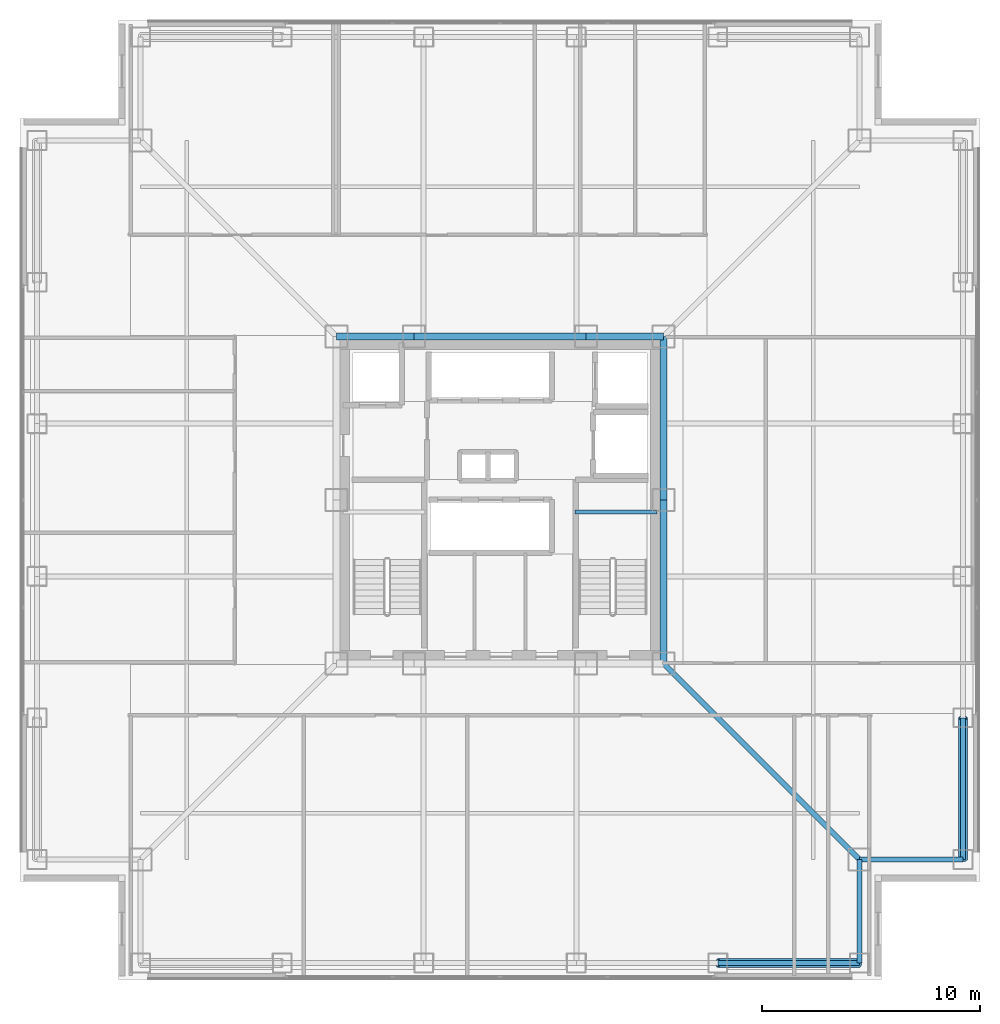
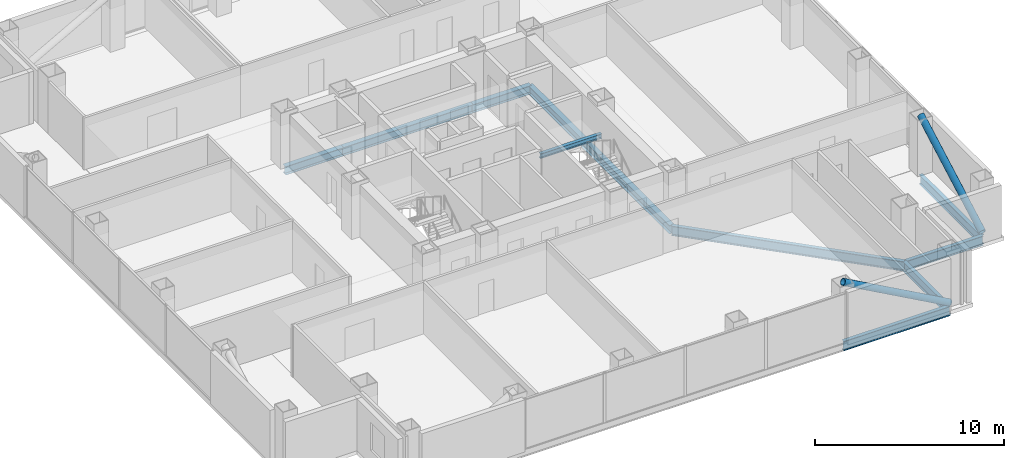
# One storey, part 6 of 16: 11 beams, 2 members.
"""IFC4 building model written with IfcOpenShell, lengths in metres."""

from ifc_helpers import new_model, si_unit, direction, frame, origin, origin_2d, place, context, subcontext, project, spatial, hollow_circle, i_section, extrude, material, material_profile, profile_set, type_object, element, save


model = new_model("IFC4")

# Units and contexts
model_context = context("Model", 3, precision=1e-05, world=origin(), true_north=direction((0.0, 1.0)))
body_context = subcontext(model_context, "Body", "Model", "MODEL_VIEW")
ifc_project = project(units=[si_unit("LENGTHUNIT", "METRE"), si_unit("AREAUNIT", "SQUARE_METRE"), si_unit("VOLUMEUNIT", "CUBIC_METRE"), si_unit("PLANEANGLEUNIT", "RADIAN"), si_unit("MASSUNIT", "GRAM", prefix="KILO")], contexts=[model_context])

# Site, building, storey
site_placement = place(None, origin())
site = spatial("IfcSite", under=ifc_project, at=site_placement, CompositionType="ELEMENT")
building_placement = place(site_placement, origin())
building = spatial("IfcBuilding", under=site, at=building_placement, Name="Trevonay Congress Spire", CompositionType="ELEMENT")
storey_placement = place(building_placement, frame((0.0, 0.0, 101.199951171875)))
storey = spatial("IfcBuildingStorey", under=building, at=storey_placement, Name="L25", CompositionType="ELEMENT", Elevation=101.199951171875)

# Beams
ifc_material_1 = material(Name="Steel ASTM A572 Grade 50", Category="steel")
ifc_material_profile_1 = material_profile(ifc_material_1, i_section(OverallWidth=0.31201171875, OverallDepth=0.54296875, WebThickness=0.0126953125, FlangeThickness=0.020263671875, FilletRadius=0.014892578125, at=origin_2d()), Name="W530x150")
ifc_profile_set_1 = profile_set([ifc_material_profile_1], Name="Steel ASTM A572 Grade 50")
beam_type_1 = type_object("IfcBeamType", Name="BM-GIRD-W530X150", PredefinedType="BEAM", material=ifc_profile_set_1)
beam_1_placement = place(storey_placement, frame((-7.5, 7.5, -0.511474609375), z_axis=(1.0, 0.0, 0.0), x_axis=(0.0, 1.0, 0.0)))
element("IfcBeam", 1, at=beam_1_placement, inside=storey, type_object=beam_type_1, Name="L25 structural beam BM-L25-CR-N1", PredefinedType="BEAM", context=body_context, shape_type="SweptSolid", body=[
    extrude(i_section(OverallWidth=0.31201171875, OverallDepth=0.54296875, WebThickness=0.0126953125, FlangeThickness=0.020263671875, FilletRadius=0.014892578125, at=origin_2d()), origin(), (0.0, 0.0, 1.0), 3.550048828125),
])
beam_2_placement = place(storey_placement, frame((-3.949951171875, 7.5, -0.511474609375), z_axis=(1.0, 0.0, 0.0), x_axis=(0.0, 1.0, 0.0)))
element("IfcBeam", 2, at=beam_2_placement, inside=storey, type_object=beam_type_1, Name="L25 structural beam BM-L25-CR-N2", PredefinedType="BEAM", context=body_context, shape_type="SweptSolid", body=[
    extrude(i_section(OverallWidth=0.31201171875, OverallDepth=0.54296875, WebThickness=0.0126953125, FlangeThickness=0.020263671875, FilletRadius=0.014892578125, at=origin_2d()), origin(), (0.0, 0.0, 1.0), 7.89990234375),
])
beam_3_placement = place(storey_placement, frame((3.949951171875, 7.5, -0.511474609375), z_axis=(1.0, 0.0, 0.0), x_axis=(0.0, 1.0, 0.0)))
element("IfcBeam", 3, at=beam_3_placement, inside=storey, type_object=beam_type_1, Name="L25 structural beam BM-L25-CR-N3", PredefinedType="BEAM", context=body_context, shape_type="SweptSolid", body=[
    extrude(i_section(OverallWidth=0.31201171875, OverallDepth=0.54296875, WebThickness=0.0126953125, FlangeThickness=0.020263671875, FilletRadius=0.014892578125, at=origin_2d()), origin(), (0.0, 0.0, 1.0), 3.550048828125),
])
for number, where, z_axis, x_axis, name in (
    (4, (7.5, -7.5, -0.511474609375), (0.0, 1.0, 0.0), (-1.0, 0.0, 0.0), "L25 structural beam BM-L25-CR-E1"),
    (5, (7.5, 0.0, -0.511474609375), (0.0, 1.0, 0.0), (-1.0, 0.0, 0.0), "L25 structural beam BM-L25-CR-E2"),
):
    element("IfcBeam", number, at=place(storey_placement, frame(where, z_axis=z_axis, x_axis=x_axis)), inside=storey, type_object=beam_type_1, Name=name, PredefinedType="BEAM", context=body_context, shape_type="SweptSolid", body=[
        extrude(i_section(OverallWidth=0.31201171875, OverallDepth=0.54296875, WebThickness=0.0126953125, FlangeThickness=0.020263671875, FilletRadius=0.014892578125, at=origin_2d()), origin(), (0.0, 0.0, 1.0), 7.5),
    ])
ifc_material_profile_2 = material_profile(ifc_material_1, i_section(OverallWidth=0.22998046875, OverallDepth=0.616943359375, WebThickness=0.01318359375, FlangeThickness=0.022216796875, FilletRadius=0.01611328125, at=origin_2d()), Name="W610x140")
ifc_profile_set_2 = profile_set([ifc_material_profile_2], Name="Steel ASTM A572 Grade 50")
beam_type_2 = type_object("IfcBeamType", Name="BM-GIRD-W610X140", PredefinedType="BEAM", material=ifc_profile_set_2)
beam_4_placement = place(storey_placement, frame((7.5, -7.5, -0.54833984375), z_axis=(0.707106781187, -0.707106781187, 0.0), x_axis=(0.707106781187, 0.707106781187, 0.0)))
element("IfcBeam", 6, at=beam_4_placement, inside=storey, type_object=beam_type_2, Name="L25 structural beam BM-L25-CDSE", PredefinedType="BEAM", context=body_context, shape_type="SweptSolid", body=[
    extrude(i_section(OverallWidth=0.22998046875, OverallDepth=0.616943359375, WebThickness=0.01318359375, FlangeThickness=0.022216796875, FilletRadius=0.01611328125, at=origin_2d()), origin(), (0.0, 0.0, 1.0), 12.72802734375),
])
ifc_material_profile_3 = material_profile(ifc_material_1, i_section(OverallWidth=0.22802734375, OverallDepth=0.60791015625, WebThickness=0.01123046875, FlangeThickness=0.017333984375, FilletRadius=0.01611328125, at=origin_2d()), Name="W610x113")
ifc_profile_set_3 = profile_set([ifc_material_profile_3], Name="Steel ASTM A572 Grade 50")
beam_type_3 = type_object("IfcBeamType", Name="BM-RING-W610X113", PredefinedType="BEAM", material=ifc_profile_set_3)
for number, where, z_axis, x_axis, name in (
    (7, (21.25, -16.5, -0.5439453125), (0.0, 1.0, 0.0), (-1.0, 0.0, 0.0), "L25 structural beam BM-L25-PE1"),
    (8, (10.0, -21.25, -0.5439453125), (1.0, 0.0, 0.0), (0.0, 1.0, 0.0), "L25 structural beam BM-L25-PS5"),
):
    element("IfcBeam", number, at=place(storey_placement, frame(where, z_axis=z_axis, x_axis=x_axis)), inside=storey, type_object=beam_type_3, Name=name, PredefinedType="BEAM", context=body_context, shape_type="SweptSolid", body=[
        extrude(i_section(OverallWidth=0.22802734375, OverallDepth=0.60791015625, WebThickness=0.01123046875, FlangeThickness=0.017333984375, FilletRadius=0.01611328125, at=origin_2d()), origin(), (0.0, 0.0, 1.0), 6.5),
    ])
for number, where, z_axis, x_axis, name in (
    (9, (16.5, -21.25, -0.5439453125), (0.0, 1.0, 0.0), (-1.0, 0.0, 0.0), "L25 structural beam BM-L25-N1SE"),
    (10, (21.25, -16.5, -0.5439453125), (-1.0, 0.0, 0.0), (0.0, -1.0, 0.0), "L25 structural beam BM-L25-N2SE"),
):
    element("IfcBeam", number, at=place(storey_placement, frame(where, z_axis=z_axis, x_axis=x_axis)), inside=storey, type_object=beam_type_3, Name=name, PredefinedType="BEAM", context=body_context, shape_type="SweptSolid", body=[
        extrude(i_section(OverallWidth=0.22802734375, OverallDepth=0.60791015625, WebThickness=0.01123046875, FlangeThickness=0.017333984375, FilletRadius=0.01611328125, at=origin_2d()), origin(), (0.0, 0.0, 1.0), 4.75),
    ])
ifc_material_profile_4 = material_profile(ifc_material_1, i_section(OverallWidth=0.2041015625, OverallDepth=0.305908203125, WebThickness=0.008544921875, FlangeThickness=0.0146484375, FilletRadius=0.010986328125, at=origin_2d()), Name="W310x67")
ifc_profile_set_4 = profile_set([ifc_material_profile_4], Name="Steel ASTM A572 Grade 50")
beam_type_4 = type_object("IfcBeamType", Name="LN-CORE-W310X67", PredefinedType="LINTEL", material=ifc_profile_set_4)
beam_5_placement = place(storey_placement, frame((3.449951171875, -0.550048828125, 1.447021484375), z_axis=(1.0, 0.0, 0.0), x_axis=(0.0, 1.0, 0.0)))
element("IfcBeam", 11, at=beam_5_placement, inside=storey, type_object=beam_type_4, Name="L25 structural beam BM-L25-HL-ST2", PredefinedType="LINTEL", context=body_context, shape_type="SweptSolid", body=[
    extrude(i_section(OverallWidth=0.2041015625, OverallDepth=0.305908203125, WebThickness=0.008544921875, FlangeThickness=0.0146484375, FilletRadius=0.010986328125, at=origin_2d()), origin(), (0.0, 0.0, 1.0), 3.75),
])

# Members
ifc_material_2 = material(Name="Steel ASTM A500 Grade C", Category="steel")
ifc_material_profile_5 = material_profile(ifc_material_2, hollow_circle(Radius=0.203125, WallThickness=0.02001953125, at=origin_2d()), Name="CHS 406.4x20")
ifc_profile_set_5 = profile_set([ifc_material_profile_5], Name="Steel ASTM A500 Grade C")
member_type = type_object("IfcMemberType", Name="MBR-TUBE-CHS406", PredefinedType="BRACE", material=ifc_profile_set_5)
for number, where, z_axis, x_axis, name in (
    (12, (16.5, -21.25, -0.050048828125), (-0.874785785626, 0.0, 0.484509885623), (0.0, -1.0, 0.0), "L25 perimeter braced-tube diagonal S4"),
    (13, (21.25, -16.5, -0.050048828125), (0.0, 0.874785785626, 0.484509885623), (-1.0, 0.0, 0.0), "L25 perimeter braced-tube diagonal E0"),
):
    element("IfcMember", number, at=place(storey_placement, frame(where, z_axis=z_axis, x_axis=x_axis)), inside=storey, type_object=member_type, Name=name, PredefinedType="BRACE", context=body_context, shape_type="SweptSolid", body=[
        extrude(hollow_circle(Radius=0.203125, WallThickness=0.02001953125, at=origin_2d()), origin(), (0.0, 0.0, 1.0), 7.430419921875),
    ])

save(model, "model.ifc")
